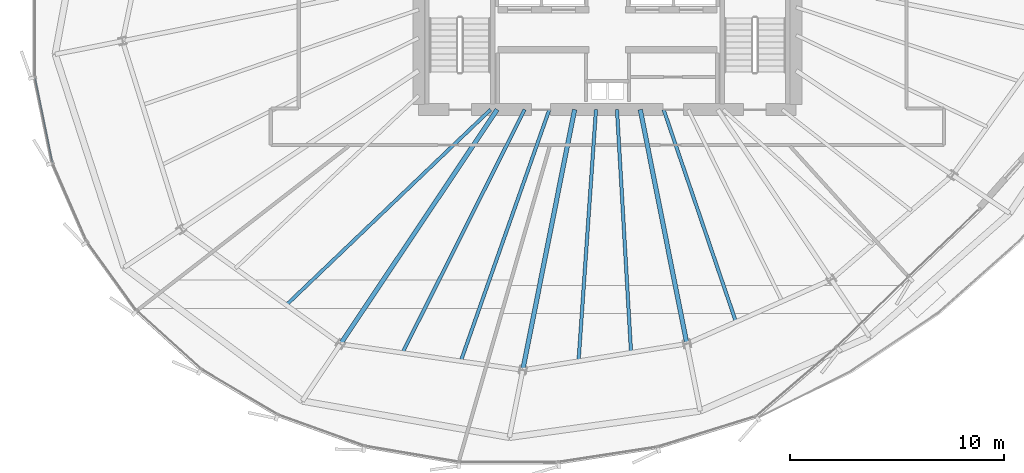
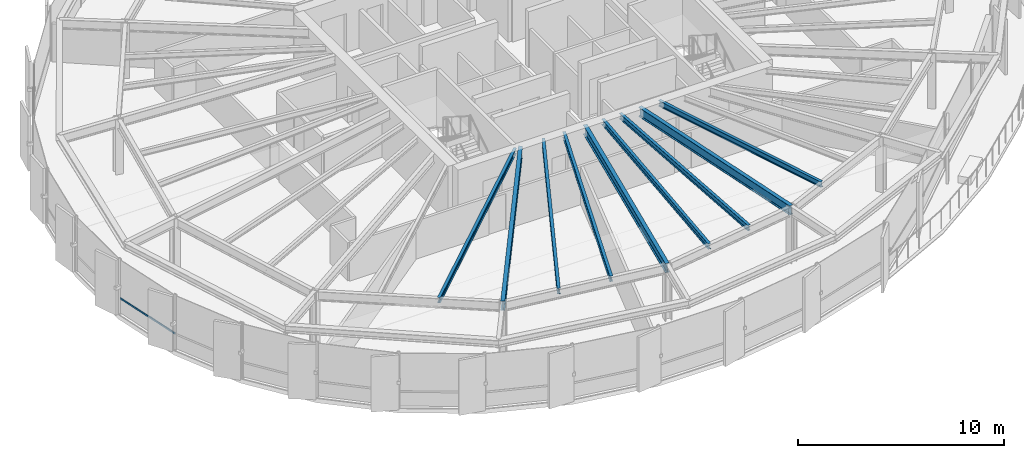
# One storey, part 7 of 34: 9 beams, 1 member, 1 element without a shape of its own.
"""IFC4 building model written with IfcOpenShell, lengths in metres."""

from ifc_helpers import new_model, si_unit, direction, frame, origin, origin_2d, place, context, subcontext, project, spatial, hollow_rectangle, i_section, extrude, source, transform, mapped, material, layer, layer_set, material_profile, profile_set, type_object, element, aggregate, save


model = new_model("IFC4")

# Units and contexts
model_context = context("Model", 3, precision=1e-05, world=origin(), true_north=direction((0.0, 1.0)))
body_context = subcontext(model_context, "Body", "Model", "MODEL_VIEW")
ifc_project = project(units=[si_unit("LENGTHUNIT", "METRE"), si_unit("AREAUNIT", "SQUARE_METRE"), si_unit("VOLUMEUNIT", "CUBIC_METRE"), si_unit("PLANEANGLEUNIT", "RADIAN"), si_unit("MASSUNIT", "GRAM", prefix="KILO"), si_unit("THERMODYNAMICTEMPERATUREUNIT", "KELVIN")], contexts=[model_context])

# Site, building, storey
site_placement = place(None, origin())
site = spatial("IfcSite", under=ifc_project, at=site_placement, CompositionType="ELEMENT")
building_placement = place(site_placement, origin())
building = spatial("IfcBuilding", under=site, at=building_placement, Name="Kethvar Cultural Tower", CompositionType="ELEMENT")
storey_placement = place(building_placement, frame((0.0, 0.0, 153.64990234375)))
storey = spatial("IfcBuildingStorey", under=building, at=storey_placement, Name="L39", CompositionType="ELEMENT", Elevation=153.64990234375)

# Beams
ifc_material_1 = material(Name="Steel S355J2", Category="steel")
ifc_material_profile_1 = material_profile(ifc_material_1, i_section(OverallWidth=0.2099609375, OverallDepth=0.550048828125, WebThickness=0.010986328125, FlangeThickness=0.01708984375, FilletRadius=0.02392578125, at=origin_2d()), Name="Steel S355J2 — IPE550")
ifc_profile_set_1 = profile_set([ifc_material_profile_1], Name="Steel S355J2 — IPE550")
beam_type_1 = type_object("IfcBeamType", Name="BM-IPE550", PredefinedType="BEAM", material=ifc_profile_set_1)
shared_shape_1 = source(origin(), body_context, "Body", "SweptSolid", [
    extrude(i_section(OverallWidth=0.2099609375, OverallDepth=0.550048828125, WebThickness=0.010986328125, FlangeThickness=0.01708984375, FilletRadius=0.02392578125, at=origin_2d()), origin(), (0.0, 0.0, 1.0), 13.147216796875),
])
beam_1_placement = place(storey_placement, frame((41.655029296875, 20.10009765625, 3.023193359375), z_axis=(-0.555565525446, -0.831472757783, 0.0), x_axis=(0.831472757783, -0.555565525446, 0.0)))
element("IfcBeam", 1, at=beam_1_placement, inside=storey, type_object=beam_type_1, Name="L39 Primary Radial Beam RB-11", PredefinedType="BEAM", context=body_context, shape_type="MappedRepresentation", body=[
    mapped(shared_shape_1, transform((0.0, 0.0, 0.0), scale=1.0)),
])
shared_shape_2 = source(origin(), body_context, "Body", "SweptSolid", [
    extrude(i_section(OverallWidth=0.2099609375, OverallDepth=0.550048828125, WebThickness=0.010986328125, FlangeThickness=0.01708984375, FilletRadius=0.02392578125, at=origin_2d()), origin(), (0.0, 0.0, 1.0), 12.384521484375),
])
beam_2_placement = place(storey_placement, frame((45.268310546875, 20.10009765625, 3.023193359375), z_axis=(-0.195084858678, -0.980786367113, 0.0), x_axis=(0.980786367113, -0.195084858678, 0.0)))
element("IfcBeam", 2, at=beam_2_placement, inside=storey, type_object=beam_type_1, Name="L39 Primary Radial Beam RB-12", PredefinedType="BEAM", context=body_context, shape_type="MappedRepresentation", body=[
    mapped(shared_shape_2, transform((0.0, 0.0, 0.0), scale=1.0)),
])
shared_shape_3 = source(origin(), body_context, "Body", "SweptSolid", [
    extrude(i_section(OverallWidth=0.2099609375, OverallDepth=0.550048828125, WebThickness=0.010986328125, FlangeThickness=0.01708984375, FilletRadius=0.02392578125, at=origin_2d()), origin(), (0.0, 0.0, 1.0), 11.131591796875),
])
beam_3_placement = place(storey_placement, frame((48.33154296875, 20.10009765625, 3.023193359375), z_axis=(0.195107998266, -0.980781764213, 0.0), x_axis=(0.980781764213, 0.195107998266, 0.0)))
element("IfcBeam", 3, at=beam_3_placement, inside=storey, type_object=beam_type_1, Name="L39 Primary Radial Beam RB-13", PredefinedType="BEAM", context=body_context, shape_type="MappedRepresentation", body=[
    mapped(shared_shape_3, transform((0.0, 0.0, 0.0), scale=1.0)),
])
ifc_material_profile_2 = material_profile(ifc_material_1, i_section(OverallWidth=0.159912109375, OverallDepth=0.330078125, WebThickness=0.007568359375, FlangeThickness=0.011474609375, FilletRadius=0.01806640625, at=origin_2d()), Name="Steel S355J2 — IPE330")
ifc_profile_set_2 = profile_set([ifc_material_profile_2], Name="Steel S355J2 — IPE330")
beam_type_2 = type_object("IfcBeamType", Name="BM-J330", PredefinedType="JOIST", material=ifc_profile_set_2)
shared_shape_4 = source(origin(), body_context, "Body", "SweptSolid", [
    extrude(i_section(OverallWidth=0.159912109375, OverallDepth=0.330078125, WebThickness=0.007568359375, FlangeThickness=0.011474609375, FilletRadius=0.01806640625, at=origin_2d()), origin(), (0.0, 0.0, 1.0), 13.1826171875),
])
beam_4_placement = place(storey_placement, frame((41.35009765625, 20.10009765625, 3.133056640625), z_axis=(-0.722573880181, -0.691293705801, 0.0), x_axis=(0.691293705801, -0.722573880181, 0.0)))
element("IfcBeam", 4, at=beam_4_placement, inside=storey, type_object=beam_type_2, Name="L39 Composite Floor Joist J-10B", PredefinedType="JOIST", context=body_context, shape_type="MappedRepresentation", body=[
    mapped(shared_shape_4, transform((0.0, 0.0, 0.0), scale=1.0)),
])
shared_shape_5 = source(origin(), body_context, "Body", "SweptSolid", [
    extrude(i_section(OverallWidth=0.159912109375, OverallDepth=0.330078125, WebThickness=0.007568359375, FlangeThickness=0.011474609375, FilletRadius=0.01806640625, at=origin_2d()), origin(), (0.0, 0.0, 1.0), 12.693603515625),
])
beam_5_placement = place(storey_placement, frame((42.935302734375, 20.10009765625, 3.133056640625), z_axis=(-0.448582495233, -0.893741430712, 0.0), x_axis=(0.893741430712, -0.448582495233, 0.0)))
element("IfcBeam", 5, at=beam_5_placement, inside=storey, type_object=beam_type_2, Name="L39 Composite Floor Joist J-11A", PredefinedType="JOIST", context=body_context, shape_type="MappedRepresentation", body=[
    mapped(shared_shape_5, transform((0.0, 0.0, 0.0), scale=1.0)),
])
shared_shape_6 = source(origin(), body_context, "Body", "SweptSolid", [
    extrude(i_section(OverallWidth=0.159912109375, OverallDepth=0.330078125, WebThickness=0.007568359375, FlangeThickness=0.011474609375, FilletRadius=0.01806640625, at=origin_2d()), origin(), (0.0, 0.0, 1.0), 12.4384765625),
])
beam_6_placement = place(storey_placement, frame((44.090576171875, 20.10009765625, 3.133056640625), z_axis=(-0.331923676994, -0.943306245421, 0.0), x_axis=(0.943306245421, -0.331923676994, 0.0)))
element("IfcBeam", 6, at=beam_6_placement, inside=storey, type_object=beam_type_2, Name="L39 Composite Floor Joist J-11B", PredefinedType="JOIST", context=body_context, shape_type="MappedRepresentation", body=[
    mapped(shared_shape_6, transform((0.0, 0.0, 0.0), scale=1.0)),
])
shared_shape_7 = source(origin(), body_context, "Body", "SweptSolid", [
    extrude(i_section(OverallWidth=0.159912109375, OverallDepth=0.330078125, WebThickness=0.007568359375, FlangeThickness=0.011474609375, FilletRadius=0.01806640625, at=origin_2d()), origin(), (0.0, 0.0, 1.0), 11.7568359375),
])
beam_7_placement = place(storey_placement, frame((46.266357421875, 20.10009765625, 3.133056640625), z_axis=(-0.069129203877, -0.997607715072, 0.0), x_axis=(0.997607715072, -0.069129203877, 0.0)))
element("IfcBeam", 7, at=beam_7_placement, inside=storey, type_object=beam_type_2, Name="L39 Composite Floor Joist J-12A", PredefinedType="JOIST", context=body_context, shape_type="MappedRepresentation", body=[
    mapped(shared_shape_7, transform((0.0, 0.0, 0.0), scale=1.0)),
])
shared_shape_8 = source(origin(), body_context, "Body", "SweptSolid", [
    extrude(i_section(OverallWidth=0.159912109375, OverallDepth=0.330078125, WebThickness=0.007568359375, FlangeThickness=0.011474609375, FilletRadius=0.01806640625, at=origin_2d()), origin(), (0.0, 0.0, 1.0), 11.354736328125),
])
beam_8_placement = place(storey_placement, frame((47.245849609375, 20.10009765625, 3.133056640625), z_axis=(0.057795585741, -0.998328438075, 0.0), x_axis=(0.998328438075, 0.057795585741, 0.0)))
element("IfcBeam", 8, at=beam_8_placement, inside=storey, type_object=beam_type_2, Name="L39 Composite Floor Joist J-12B", PredefinedType="JOIST", context=body_context, shape_type="MappedRepresentation", body=[
    mapped(shared_shape_8, transform((0.0, 0.0, 0.0), scale=1.0)),
])
shared_shape_9 = source(origin(), body_context, "Body", "SweptSolid", [
    extrude(i_section(OverallWidth=0.159912109375, OverallDepth=0.330078125, WebThickness=0.007568359375, FlangeThickness=0.011474609375, FilletRadius=0.01806640625, at=origin_2d()), origin(), (0.0, 0.0, 1.0), 10.45947265625),
])
beam_9_placement = place(storey_placement, frame((49.42236328125, 20.10009765625, 3.133056640625), z_axis=(0.322390188368, -0.94660687006, 0.0), x_axis=(0.94660687006, 0.322390188368, 0.0)))
element("IfcBeam", 9, at=beam_9_placement, inside=storey, type_object=beam_type_2, Name="L39 Composite Floor Joist J-13A", PredefinedType="JOIST", context=body_context, shape_type="MappedRepresentation", body=[
    mapped(shared_shape_9, transform((0.0, 0.0, 0.0), scale=1.0)),
])

# Curtain wall, member
ifc_material_2 = material(Name="Aluminium 6063-T6", Category="aluminium")
ifc_layer = layer(ifc_material_2, 0.179931640625, Name="Aluminium 6063-T6", Category="aluminium")
ifc_layer_set = layer_set([ifc_layer], Name="Aluminium 6063-T6 (180 mm)")
curtain_wall_type = type_object("IfcCurtainWallType", Name="CW-SYS-04-Z34", PredefinedType="NOTDEFINED", material=ifc_layer_set)
curtain_wall_placement = place(storey_placement, origin())
curtain_wall = element("IfcCurtainWall", 10, at=curtain_wall_placement, inside=storey, type_object=curtain_wall_type, Name="L39 Curtain Wall Run 03", PredefinedType="NOTDEFINED")
ifc_material_profile_3 = material_profile(ifc_material_2, hollow_rectangle(XDim=0.050048828125, YDim=0.10009765625, WallThickness=0.00390625, at=origin_2d()), Name="Aluminium 6063-T6 — RHS100x50x4")
ifc_profile_set_3 = profile_set([ifc_material_profile_3], Name="Aluminium 6063-T6 — RHS100x50x4")
member_type = type_object("IfcMemberType", Name="CW-SYS-04-Z34-TRN", PredefinedType="USERDEFINED", material=ifc_profile_set_3)
shared_shape_10 = source(origin(), body_context, "Body", "SweptSolid", [
    extrude(hollow_rectangle(XDim=0.050048828125, YDim=0.10009765625, WallThickness=0.00390625, at=origin_2d()), origin(), (0.0, 0.0, 1.0), 3.988525390625),
])
member_placement = place(storey_placement, frame((20.114501953125, 21.549560546875, 0.9501953125), z_axis=(0.201081202419, -0.979574576045, 0.0), x_axis=(0.979574576045, 0.201081202419, 0.0)))
member = element("IfcMember", 11, at=member_placement, type_object=member_type, Name="CW-L39-R03 Transom 5", ObjectType="TRANSOM", PredefinedType="USERDEFINED", context=body_context, shape_type="MappedRepresentation", body=[
    mapped(shared_shape_10, transform((0.0, 0.0, 0.0), scale=1.0)),
])
aggregate(curtain_wall, [member])

save(model, "model.ifc")
